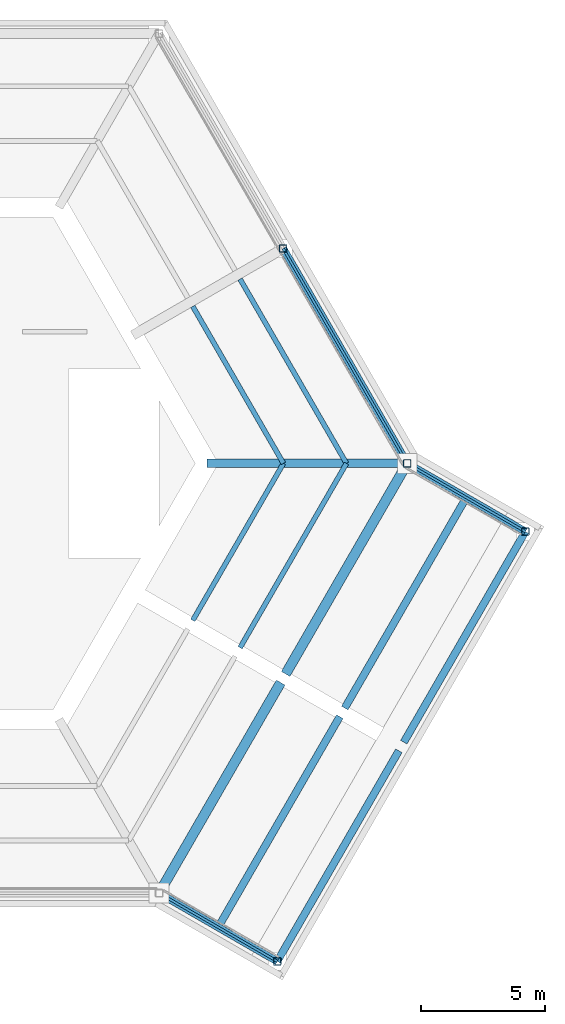
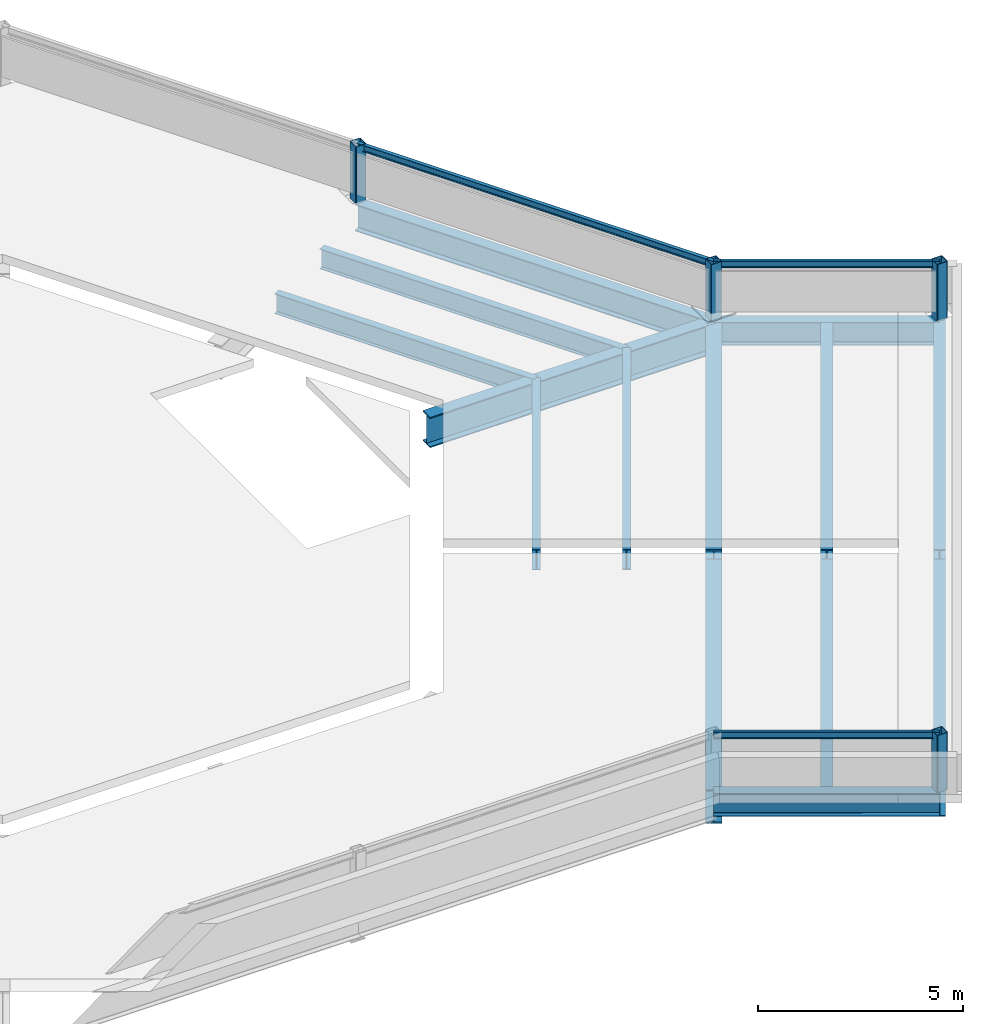
# One storey, part 3 of 6: 17 beams, 4 members.
"""IFC4 building model written with IfcOpenShell, lengths in metres."""

import ifcopenshell
import ifcopenshell.guid

model = None  # the IFC model being written
_history = None  # IfcOwnerHistory: only IFC2X3 demands one
_inside = {}  # id of a spatial element -> (the spatial element, [elements in it])
_under = {}  # id of a project, library or spatial element -> (it, [spatial elements below it])
_declared = {}  # id of a project -> (the project, [libraries it declares])
_typed = {}  # id of a type object -> (the type object, [elements of that type])
_made_of = {}  # id of a material, layer set ... -> (it, [elements and type objects made of it])


def new_model(schema):
    """Start an empty IFC model of exactly this schema.

    Asked for "IFC4X3", IfcOpenShell would pick the latest addendum, in which some entities
    have other attributes; the version numbers below select the first issue.
    IFC2X3 requires an IfcOwnerHistory on every rooted entity: one is made here for all.
    """
    global model, _history
    if schema == "IFC4X3":
        model = ifcopenshell.file(schema_version=(4, 3, 0, 0))
    else:
        model = ifcopenshell.file(schema=schema)
    _inside.clear()
    _under.clear()
    _declared.clear()
    _typed.clear()
    _made_of.clear()
    _history = None
    if model.schema == "IFC2X3":
        org = make("IfcOrganization", Name="unknown")
        user = make(
            "IfcPersonAndOrganization",
            ThePerson=make("IfcPerson", FamilyName="unknown"),
            TheOrganization=org,
        )
        app = make(
            "IfcApplication",
            ApplicationDeveloper=org,
            Version="unknown",
            ApplicationFullName="unknown",
            ApplicationIdentifier="unknown",
        )
        _history = make(
            "IfcOwnerHistory",
            OwningUser=user,
            OwningApplication=app,
            ChangeAction="ADDED",
            CreationDate=0,
        )
    return model


def make(cls, **values):
    """One entity of the class cls with the attributes given. An attribute that is None is left unset."""
    return model.create_entity(
        cls, **{name: value for name, value in values.items() if value is not None}
    )


def rooted(cls, **values):
    """An entity with a GlobalId (a new one), such as an element, a storey or a relation."""
    return make(cls, GlobalId=ifcopenshell.guid.new(), OwnerHistory=_history, **values)


def si_unit(unit_type, name, prefix=None):
    """IfcSIUnit, for example si_unit("LENGTHUNIT", "METRE", prefix="MILLI")."""
    return make("IfcSIUnit", UnitType=unit_type, Prefix=prefix, Name=name)


def assignment(units):
    """IfcUnitAssignment: the units of a project."""
    return None if units is None else make("IfcUnitAssignment", Units=units)


def point(xyz):
    """IfcCartesianPoint."""
    return None if xyz is None else make("IfcCartesianPoint", Coordinates=xyz)


def direction(xyz):
    """IfcDirection."""
    return None if xyz is None else make("IfcDirection", DirectionRatios=xyz)


def frame(location, z_axis=None, x_axis=None):
    """IfcAxis2Placement3D, a coordinate frame: its origin and axes. An axis left out is left unset."""
    return make(
        "IfcAxis2Placement3D",
        Location=point(location),
        Axis=direction(z_axis),
        RefDirection=direction(x_axis),
    )


def frame_2d(location, x_axis=None):
    """IfcAxis2Placement2D, a coordinate frame in the plane: its origin and x axis."""
    return make(
        "IfcAxis2Placement2D", Location=point(location), RefDirection=direction(x_axis)
    )


def origin():
    """The frame at (0, 0, 0) with its axes left unset."""
    return frame((0.0, 0.0, 0.0))


def origin_2d():
    """The frame at (0, 0) in the plane with its x axis left unset."""
    return frame_2d((0.0, 0.0))


def place(relative_to, where):
    """IfcLocalPlacement: puts the frame where relative to a parent placement (None: the world)."""
    return make(
        "IfcLocalPlacement", PlacementRelTo=relative_to, RelativePlacement=where
    )


def context(
    kind, dimensions, precision=None, world=None, true_north=None, identifier=None
):
    """IfcGeometricRepresentationContext, for example the 3D "Model" context."""
    return make(
        "IfcGeometricRepresentationContext",
        ContextIdentifier=identifier,
        ContextType=kind,
        CoordinateSpaceDimension=dimensions,
        Precision=precision,
        WorldCoordinateSystem=world,
        TrueNorth=true_north,
    )


def subcontext(parent, identifier, kind, view, scale=None):
    """IfcGeometricRepresentationSubContext, for example "Body" below "Model"."""
    return make(
        "IfcGeometricRepresentationSubContext",
        ContextIdentifier=identifier,
        ContextType=kind,
        ParentContext=parent,
        TargetScale=scale,
        TargetView=view,
    )


def project(units=None, contexts=None):
    """IfcProject with its units and contexts."""
    return rooted(
        "IfcProject",
        Name="project",
        RepresentationContexts=contexts,
        UnitsInContext=assignment(units),
    )


def spatial(cls, under=None, at=None, **own):
    """A site, building, storey or space (cls), placed at a placement, below another one or the project."""
    s = rooted(cls, ObjectPlacement=at, **own)
    if under is not None:
        _under.setdefault(under.id(), (under, []))[1].append(s)
    return s


def profile(cls, at=None, kind="AREA", **sizes):
    """A parametric profile (cls). Its sizes go by their IFC names, for example OverallWidth=200.0."""
    return make(cls, ProfileType=kind, Position=at, **sizes)


def hollow_rectangle(**sizes):
    """IfcRectangleHollowProfileDef."""
    return profile("IfcRectangleHollowProfileDef", **sizes)


def i_section(**sizes):
    """IfcIShapeProfileDef."""
    return profile("IfcIShapeProfileDef", **sizes)


def extrude(swept, where, along, depth):
    """IfcExtrudedAreaSolid: the profile swept, set in the frame where, extruded along a direction by depth."""
    return make(
        "IfcExtrudedAreaSolid",
        SweptArea=swept,
        Position=where,
        ExtrudedDirection=direction(along),
        Depth=depth,
    )


def shape(context_of_items, identifier, shape_type, items):
    """IfcShapeRepresentation: the items that make up one representation, for example the "Body"."""
    return make(
        "IfcShapeRepresentation",
        ContextOfItems=context_of_items,
        RepresentationIdentifier=identifier,
        RepresentationType=shape_type,
        Items=items,
    )


def material(Name=None, Category=None):
    """IfcMaterial."""
    return make("IfcMaterial", Name=Name, Category=Category)


def material_profile(
    of_material, cross_section, Name=None, Category=None, Priority=None
):
    """IfcMaterialProfile: a cross section and its material."""
    return make(
        "IfcMaterialProfile",
        Name=Name,
        Material=of_material,
        Profile=cross_section,
        Priority=Priority,
        Category=Category,
    )


def profile_set(profiles, Name=None, composite=None):
    """IfcMaterialProfileSet."""
    return make(
        "IfcMaterialProfileSet",
        Name=Name,
        MaterialProfiles=profiles,
        CompositeProfile=composite,
    )


def made_of(thing, what):
    """Note that an element or type object is made of a material, layer set ...; save() writes the relation."""
    if what is not None:
        _made_of.setdefault(what.id(), (what, []))[1].append(thing)
    return thing


def type_object(cls, material=None, **own):
    """A type object (cls), such as IfcWallType, which elements share."""
    return made_of(rooted(cls, **own), material)


def element(
    cls,
    number,
    at=None,
    inside=None,
    cuts=None,
    type_object=None,
    material=None,
    context=None,
    identifier="Body",
    shape_type=None,
    held_by="IfcProductDefinitionShape",
    body=None,
    shapes=None,
    **own,
):
    """One element of the class cls, such as IfcWall. Its Tag is "e" and its number.

    at: its placement. inside: the storey or other place that contains it. cuts: it is an
    opening in that element (IfcRelVoidsElement). A single representation is given by context,
    identifier, shape_type and body (its items); several are given by shapes. held_by: the class
    of the entity that holds the representations. save() writes the other relations.
    """
    e = rooted(cls, Tag="e%d" % number, ObjectPlacement=at, **own)
    if body is not None:
        shapes = [shape(context, identifier, shape_type, body)]
    if shapes is not None:
        e.Representation = make(held_by, Representations=shapes)
    if inside is not None:
        _inside.setdefault(inside.id(), (inside, []))[1].append(e)
    if cuts is not None:
        rooted(
            "IfcRelVoidsElement", RelatingBuildingElement=cuts, RelatedOpeningElement=e
        )
    if type_object is not None:
        _typed.setdefault(type_object.id(), (type_object, []))[1].append(e)
    return made_of(e, material)


def aggregate(whole, parts):
    """IfcRelAggregates: a whole, such as a stair, and the parts it consists of."""
    return rooted("IfcRelAggregates", RelatingObject=whole, RelatedObjects=parts)


def save(model, path):
    """Write the relations noted so far, then the file.

    IfcRelAggregates (storeys below a building ...), IfcRelContainedInSpatialStructure (elements
    in a storey), IfcRelDefinesByType, IfcRelAssociatesMaterial and IfcRelDeclares: one each for
    every whole, place, type object, material and project.
    """
    for whole, parts in _under.values():
        aggregate(whole, parts)
    for where, things in _inside.values():
        rooted(
            "IfcRelContainedInSpatialStructure",
            RelatedElements=things,
            RelatingStructure=where,
        )
    for kind, things in _typed.values():
        rooted("IfcRelDefinesByType", RelatedObjects=things, RelatingType=kind)
    for what, things in _made_of.values():
        rooted("IfcRelAssociatesMaterial", RelatedObjects=things, RelatingMaterial=what)
    for by, libraries in _declared.values():
        rooted("IfcRelDeclares", RelatingContext=by, RelatedDefinitions=libraries)
    model.write(path)


model = new_model("IFC4")

# Units and contexts
model_context = context("Model", 3, precision=1e-05, world=origin(), true_north=direction((0.0, 1.0)))
body_context = subcontext(model_context, "Body", "Model", "MODEL_VIEW")
ifc_project = project(units=[si_unit("LENGTHUNIT", "METRE"), si_unit("AREAUNIT", "SQUARE_METRE"), si_unit("VOLUMEUNIT", "CUBIC_METRE"), si_unit("PLANEANGLEUNIT", "RADIAN"), si_unit("MASSUNIT", "GRAM", prefix="KILO")], contexts=[model_context])

# Site, building, storey
site_placement = place(None, origin())
site = spatial("IfcSite", under=ifc_project, at=site_placement, CompositionType="ELEMENT")
building_placement = place(site_placement, origin())
building = spatial("IfcBuilding", under=site, at=building_placement, Name="Kasaneha Research Tower", CompositionType="ELEMENT")
storey_placement = place(building_placement, frame((0.0, 0.0, 307.5)))
storey = spatial("IfcBuildingStorey", under=building, at=storey_placement, Name="RF", CompositionType="ELEMENT", Elevation=307.5)

# Beams
ifc_material_1 = material(Name="Steel SN490B", Category="steel")
ifc_material_profile_1 = material_profile(ifc_material_1, i_section(OverallWidth=0.199951171875, OverallDepth=0.60009765625, WebThickness=0.010986328125, FlangeThickness=0.01708984375, FilletRadius=0.012939453125, at=origin_2d()), Name="H-600x200x11x17")
ifc_profile_set_1 = profile_set([ifc_material_profile_1], Name="Steel SN490B")
beam_type_1 = type_object("IfcBeamType", Name="B1-6 secondary beam H-600x200x11x17", PredefinedType="JOIST", material=ifc_profile_set_1)
beam_1_placement = place(storey_placement, frame((15.010986328125, 0.0, -0.550048828125), z_axis=(-0.499974128195, 0.866040340363, 0.0), x_axis=(-0.866040340363, -0.499974128195, 0.0)))
element("IfcBeam", 1, at=beam_1_placement, inside=storey, type_object=beam_type_1, Name="Secondary beam RS030L1 RF", PredefinedType="JOIST", context=body_context, shape_type="SweptSolid", body=[
    extrude(i_section(OverallWidth=0.199951171875, OverallDepth=0.60009765625, WebThickness=0.010986328125, FlangeThickness=0.01708984375, FilletRadius=0.012939453125, at=origin_2d()), origin(), (0.0, 0.0, 1.0), 7.3056640625),
])
beam_2_placement = place(storey_placement, frame((17.551513671875, 0.0, -0.550048828125), z_axis=(-0.500000102728, 0.866025344474, 0.0), x_axis=(-0.866025344474, -0.500000102728, 0.0)))
element("IfcBeam", 2, at=beam_2_placement, inside=storey, type_object=beam_type_1, Name="Secondary beam RS030L2 RF", PredefinedType="JOIST", context=body_context, shape_type="SweptSolid", body=[
    extrude(i_section(OverallWidth=0.199951171875, OverallDepth=0.60009765625, WebThickness=0.010986328125, FlangeThickness=0.01708984375, FilletRadius=0.012939453125, at=origin_2d()), origin(), (0.0, 0.0, 1.0), 8.57568359375),
])
beam_3_placement = place(storey_placement, frame((15.010986328125, 0.0, -0.550048828125), z_axis=(-0.499974128195, -0.866040340363, 0.0), x_axis=(0.866040340363, -0.499974128195, 0.0)))
element("IfcBeam", 3, at=beam_3_placement, inside=storey, type_object=beam_type_1, Name="Secondary beam RS330R1 RF", PredefinedType="JOIST", context=body_context, shape_type="SweptSolid", body=[
    extrude(i_section(OverallWidth=0.199951171875, OverallDepth=0.60009765625, WebThickness=0.010986328125, FlangeThickness=0.01708984375, FilletRadius=0.012939453125, at=origin_2d()), origin(), (0.0, 0.0, 1.0), 7.3056640625),
])
beam_4_placement = place(storey_placement, frame((17.551513671875, 0.0, -0.550048828125), z_axis=(-0.500000102728, -0.866025344474, 0.0), x_axis=(0.866025344474, -0.500000102728, 0.0)))
element("IfcBeam", 4, at=beam_4_placement, inside=storey, type_object=beam_type_1, Name="Secondary beam RS330R2 RF", PredefinedType="JOIST", context=body_context, shape_type="SweptSolid", body=[
    extrude(i_section(OverallWidth=0.199951171875, OverallDepth=0.60009765625, WebThickness=0.010986328125, FlangeThickness=0.01708984375, FilletRadius=0.012939453125, at=origin_2d()), origin(), (0.0, 0.0, 1.0), 8.57568359375),
])
ifc_material_2 = material(Name="Steel SN490B", Category="steel")
ifc_material_profile_2 = material_profile(ifc_material_2, i_section(OverallWidth=0.300048828125, OverallDepth=0.699951171875, WebThickness=0.012939453125, FlangeThickness=0.02392578125, FilletRadius=0.01806640625, at=origin_2d()), Name="H-700x300x13x24")
ifc_profile_set_2 = profile_set([ifc_material_profile_2], Name="Steel SN490B")
beam_type_2 = type_object("IfcBeamType", Name="B2-6 secondary beam H-700x300x13x24", PredefinedType="JOIST", material=ifc_profile_set_2)
for number, where, z_axis, x_axis, name in (
    (5, (12.381591796875, -18.695556640625, -0.60009765625), (0.49999201416, 0.866030014362, 0.0), (-0.866030014362, 0.49999201416, 0.0), "Secondary beam WBCP1 RF"),
    (6, (22.381591796875, -1.375, -0.60009765625), (-0.49999201416, -0.866030014362, 0.0), (0.866030014362, -0.49999201416, 0.0), "Secondary beam WBCN1 RF"),
):
    element("IfcBeam", number, at=place(storey_placement, frame(where, z_axis=z_axis, x_axis=x_axis)), inside=storey, type_object=beam_type_2, Name=name, PredefinedType="JOIST", context=body_context, shape_type="SweptSolid", body=[
        extrude(i_section(OverallWidth=0.300048828125, OverallDepth=0.699951171875, WebThickness=0.012939453125, FlangeThickness=0.02392578125, FilletRadius=0.01806640625, at=origin_2d()), origin(), (0.0, 0.0, 1.0), 9.800048828125),
    ])

# Members
ifc_material_3 = material(Name="Steel BCR295", Category="steel")
ifc_material_profile_3 = material_profile(ifc_material_3, hollow_rectangle(XDim=0.300048828125, YDim=0.300048828125, WallThickness=0.011962890625, InnerFilletRadius=0.01806640625, OuterFilletRadius=0.030029296875, at=origin_2d()), Name="BCR-300x300x12")
ifc_profile_set_3 = profile_set([ifc_material_profile_3], Name="Steel BCR295")
member_type = type_object("IfcMemberType", Name="Crown screen post BCR-300x300x12", PredefinedType="POST", material=ifc_profile_set_3)
for number, where, z_axis, x_axis, name in (
    (7, (24.76318359375, -2.75, -0.199951171875), (0.0, 0.0, 1.0), (1.0, 0.0, 0.0), "Crown screen post CSN"),
    (8, (14.76318359375, -20.070556640625, -0.199951171875), (0.0, 0.0, 1.0), (1.0, 0.0, 0.0), "Crown screen post CSP"),
    (9, (15.0, 8.66015625, -0.199951171875), (0.0, 0.0, 1.0), (1.0, 0.0, 0.0), "Crown screen post M030"),
    (10, (20.0, 0.0, -0.199951171875), (0.0, 0.0, 1.0), (1.0, 0.0, 0.0), "Crown screen post V0"),
):
    element("IfcMember", number, at=place(storey_placement, frame(where, z_axis=z_axis, x_axis=x_axis)), inside=storey, type_object=member_type, Name=name, PredefinedType="POST", context=body_context, shape_type="SweptSolid", body=[
        extrude(hollow_rectangle(XDim=0.300048828125, YDim=0.300048828125, WallThickness=0.011962890625, InnerFilletRadius=0.01806640625, OuterFilletRadius=0.030029296875, at=origin_2d()), origin(), (0.0, 0.0, 1.0), 1.699951171875),
    ])

# Beams
ifc_material_4 = material(Name="Steel SN400B", Category="steel")
ifc_material_profile_4 = material_profile(ifc_material_4, i_section(OverallWidth=0.10009765625, OverallDepth=0.199951171875, WebThickness=0.005615234375, FlangeThickness=0.008056640625, FilletRadius=0.008056640625, at=origin_2d()), Name="H-200x100x5.5x8")
ifc_profile_set_4 = profile_set([ifc_material_profile_4], Name="Steel SN400B")
beam_type_3 = type_object("IfcBeamType", Name="Crown screen rail H-200x100x5.5x8", PredefinedType="BEAM", material=ifc_profile_set_4)
beam_5_placement = place(storey_placement, frame((14.76318359375, -20.070556640625, 1.39990234375), z_axis=(-0.866027397988, 0.499996545922, 0.0), x_axis=(-0.499996545922, -0.866027397988, 0.0)))
element("IfcBeam", 11, at=beam_5_placement, inside=storey, type_object=beam_type_3, Name="Crown screen rail CSP-V5", PredefinedType="BEAM", context=body_context, shape_type="SweptSolid", body=[
    extrude(i_section(OverallWidth=0.10009765625, OverallDepth=0.199951171875, WebThickness=0.005615234375, FlangeThickness=0.008056640625, FilletRadius=0.008056640625, at=origin_2d()), origin(), (0.0, 0.0, 1.0), 5.5),
])
beam_6_placement = place(storey_placement, frame((15.0, 8.66015625, 1.39990234375), z_axis=(0.500004234368, -0.866022959057, 0.0), x_axis=(0.866022959057, 0.500004234368, 0.0)))
element("IfcBeam", 12, at=beam_6_placement, inside=storey, type_object=beam_type_3, Name="Crown screen rail M030-V0", PredefinedType="BEAM", context=body_context, shape_type="SweptSolid", body=[
    extrude(i_section(OverallWidth=0.10009765625, OverallDepth=0.199951171875, WebThickness=0.005615234375, FlangeThickness=0.008056640625, FilletRadius=0.008056640625, at=origin_2d()), origin(), (0.0, 0.0, 1.0), 10.0),
])
beam_7_placement = place(storey_placement, frame((20.0, 0.0, 1.39990234375), z_axis=(0.866027397988, -0.499996545922, 0.0), x_axis=(0.499996545922, 0.866027397988, 0.0)))
element("IfcBeam", 13, at=beam_7_placement, inside=storey, type_object=beam_type_3, Name="Crown screen rail V0-CSN", PredefinedType="BEAM", context=body_context, shape_type="SweptSolid", body=[
    extrude(i_section(OverallWidth=0.10009765625, OverallDepth=0.199951171875, WebThickness=0.005615234375, FlangeThickness=0.008056640625, FilletRadius=0.008056640625, at=origin_2d()), origin(), (0.0, 0.0, 1.0), 5.5),
])
ifc_material_5 = material(Name="Steel SN490B", Category="steel")
ifc_material_profile_5 = material_profile(ifc_material_5, i_section(OverallWidth=0.35009765625, OverallDepth=0.89990234375, WebThickness=0.01611328125, FlangeThickness=0.031982421875, at=origin_2d()), Name="BH-900x350x16x32")
ifc_profile_set_5 = profile_set([ifc_material_profile_5], Name="Steel SN490B")
beam_type_4 = type_object("IfcBeamType", Name="G1-6 radial girder BH-900x350x16x32", PredefinedType="BEAM", material=ifc_profile_set_5)
beam_8_placement = place(storey_placement, frame((11.92236328125, 0.0, -0.699951171875), z_axis=(1.0, 0.0, 0.0), x_axis=(0.0, 1.0, 0.0)))
element("IfcBeam", 14, at=beam_8_placement, inside=storey, type_object=beam_type_4, Name="Radial girder RV000 RF", PredefinedType="BEAM", context=body_context, shape_type="SweptSolid", body=[
    extrude(i_section(OverallWidth=0.35009765625, OverallDepth=0.89990234375, WebThickness=0.01611328125, FlangeThickness=0.031982421875, at=origin_2d()), origin(), (0.0, 0.0, 1.0), 8.07763671875),
])
ifc_material_6 = material(Name="Steel SN490B", Category="steel")
ifc_material_profile_6 = material_profile(ifc_material_6, i_section(OverallWidth=0.39990234375, OverallDepth=1.0, WebThickness=0.01904296875, FlangeThickness=0.035888671875, at=origin_2d()), Name="BH-1000x400x19x36")
ifc_profile_set_6 = profile_set([ifc_material_profile_6], Name="Steel SN490B")
beam_type_5 = type_object("IfcBeamType", Name="G3-6 plate edge girder BH-1000x400x19x36", PredefinedType="BEAM", material=ifc_profile_set_6)
for number, where, z_axis, x_axis, name in (
    (15, (10.0, -17.320556640625, -0.75), (0.49999201416, 0.866030014362, 0.0), (-0.866030014362, 0.49999201416, 0.0), "Plate edge girder PECP RF"),
    (16, (20.0, 0.0, -0.75), (-0.49999201416, -0.866030014362, 0.0), (0.866030014362, -0.49999201416, 0.0), "Plate edge girder PECN RF"),
):
    element("IfcBeam", number, at=place(storey_placement, frame(where, z_axis=z_axis, x_axis=x_axis)), inside=storey, type_object=beam_type_5, Name=name, PredefinedType="BEAM", context=body_context, shape_type="SweptSolid", body=[
        extrude(i_section(OverallWidth=0.39990234375, OverallDepth=1.0, WebThickness=0.01904296875, FlangeThickness=0.035888671875, at=origin_2d()), origin(), (0.0, 0.0, 1.0), 9.800048828125),
    ])
ifc_material_7 = material(Name="Steel SN490B", Category="steel")
ifc_material_profile_7 = material_profile(ifc_material_7, i_section(OverallWidth=0.300048828125, OverallDepth=0.800048828125, WebThickness=0.013916015625, FlangeThickness=0.02587890625, FilletRadius=0.01806640625, at=origin_2d()), Name="H-800x300x14x26")
ifc_profile_set_7 = profile_set([ifc_material_profile_7], Name="Steel SN490B")
beam_type_6 = type_object("IfcBeamType", Name="SB1-6 spandrel beam H-800x300x14x26", PredefinedType="SPANDREL", material=ifc_profile_set_7)
beam_9_placement = place(storey_placement, frame((20.0, 0.0, -0.64990234375), z_axis=(-0.500004234368, 0.866022959057, 0.0), x_axis=(-0.866022959057, -0.500004234368, 0.0)))
element("IfcBeam", 17, at=beam_9_placement, inside=storey, type_object=beam_type_6, Name="Spandrel beam SR030L RF", PredefinedType="SPANDREL", context=body_context, shape_type="SweptSolid", body=[
    extrude(i_section(OverallWidth=0.300048828125, OverallDepth=0.800048828125, WebThickness=0.013916015625, FlangeThickness=0.02587890625, FilletRadius=0.01806640625, at=origin_2d()), origin(), (0.0, 0.0, 1.0), 10.0),
])
ifc_material_8 = material(Name="Steel SN490B", Category="steel")
ifc_material_profile_8 = material_profile(ifc_material_8, i_section(OverallWidth=0.300048828125, OverallDepth=0.69189453125, WebThickness=0.012939453125, FlangeThickness=0.02001953125, FilletRadius=0.01806640625, at=origin_2d()), Name="H-692x300x13x20")
ifc_profile_set_8 = profile_set([ifc_material_profile_8], Name="Steel SN490B")
beam_type_7 = type_object("IfcBeamType", Name="SB2-6 spandrel beam H-692x300x13x20", PredefinedType="SPANDREL", material=ifc_profile_set_8)
for number, where, z_axis, x_axis, name in (
    (18, (10.0, -17.320556640625, -0.595947265625), (0.866027397988, -0.499996545922, 0.0), (0.499996545922, 0.866027397988, 0.0), "Spandrel beam WSCP1 RF"),
    (19, (20.0, 0.0, -0.595947265625), (0.866027397988, -0.499996545922, 0.0), (0.499996545922, 0.866027397988, 0.0), "Spandrel beam WSCN1 RF"),
):
    element("IfcBeam", number, at=place(storey_placement, frame(where, z_axis=z_axis, x_axis=x_axis)), inside=storey, type_object=beam_type_7, Name=name, PredefinedType="SPANDREL", context=body_context, shape_type="SweptSolid", body=[
        extrude(i_section(OverallWidth=0.300048828125, OverallDepth=0.69189453125, WebThickness=0.012939453125, FlangeThickness=0.02001953125, FilletRadius=0.01806640625, at=origin_2d()), origin(), (0.0, 0.0, 1.0), 5.5),
    ])
ifc_material_9 = material(Name="Steel SN490B", Category="steel")
ifc_material_profile_9 = material_profile(ifc_material_9, i_section(OverallWidth=0.300048828125, OverallDepth=0.7919921875, WebThickness=0.013916015625, FlangeThickness=0.02197265625, FilletRadius=0.01806640625, at=origin_2d()), Name="H-792x300x14x22")
ifc_profile_set_9 = profile_set([ifc_material_profile_9], Name="Steel SN490B")
beam_type_8 = type_object("IfcBeamType", Name="SB3-6 spandrel beam H-792x300x14x22", PredefinedType="SPANDREL", material=ifc_profile_set_9)
for number, where, z_axis, x_axis, name in (
    (20, (14.76318359375, -20.070556640625, -0.64599609375), (0.49999201416, 0.866030014362, 0.0), (-0.866030014362, 0.49999201416, 0.0), "Spandrel beam WTCP RF"),
    (21, (24.76318359375, -2.75, -0.64599609375), (-0.500010698315, -0.866019227021, 0.0), (0.866019227021, -0.500010698315, 0.0), "Spandrel beam WTCN RF"),
):
    element("IfcBeam", number, at=place(storey_placement, frame(where, z_axis=z_axis, x_axis=x_axis)), inside=storey, type_object=beam_type_8, Name=name, PredefinedType="SPANDREL", context=body_context, shape_type="SweptSolid", body=[
        extrude(i_section(OverallWidth=0.300048828125, OverallDepth=0.7919921875, WebThickness=0.013916015625, FlangeThickness=0.02197265625, FilletRadius=0.01806640625, at=origin_2d()), origin(), (0.0, 0.0, 1.0), 9.800048828125),
    ])

save(model, "model.ifc")
